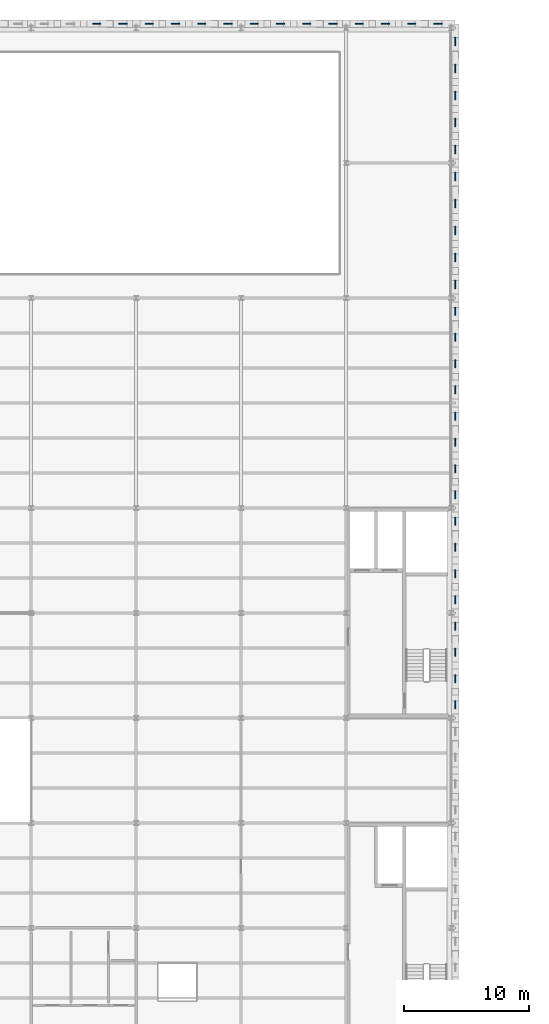
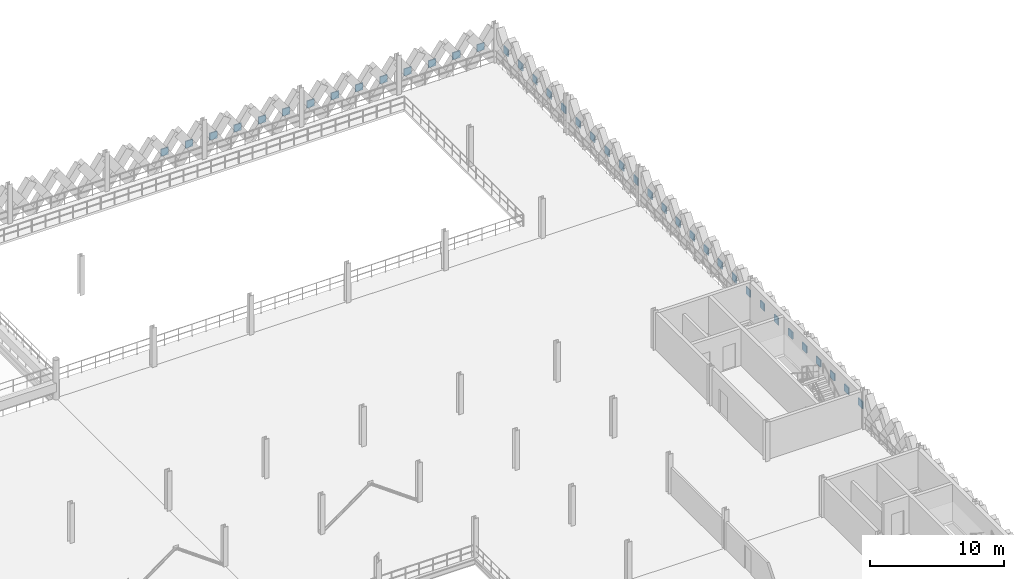
# One storey, part 60 of 79: 40 plates.
"""IFC4 building model written with IfcOpenShell, lengths in metres."""

from ifc_helpers import new_model, si_unit, direction, frame, origin, origin_2d, place, context, subcontext, project, spatial, rectangle, extrude, material, layer, layer_set, type_object, element, save


model = new_model("IFC4")

# Units and contexts
model_context = context("Model", 3, precision=1e-05, world=origin(), true_north=direction((0.0, 1.0)))
body_context = subcontext(model_context, "Body", "Model", "MODEL_VIEW")
ifc_project = project(units=[si_unit("LENGTHUNIT", "METRE"), si_unit("AREAUNIT", "SQUARE_METRE"), si_unit("VOLUMEUNIT", "CUBIC_METRE"), si_unit("PLANEANGLEUNIT", "RADIAN"), si_unit("MASSUNIT", "GRAM", prefix="KILO"), si_unit("THERMODYNAMICTEMPERATUREUNIT", "KELVIN"), si_unit("POWERUNIT", "WATT")], contexts=[model_context])

# Site, building, storey
site_placement = place(None, origin())
site = spatial("IfcSite", under=ifc_project, at=site_placement, CompositionType="ELEMENT")
building_placement = place(site_placement, origin())
building = spatial("IfcBuilding", under=site, at=building_placement, Name="Tembeka Court Mobility Hub", CompositionType="ELEMENT")
storey_placement = place(building_placement, frame((0.0, 0.0, 9.0)))
storey = spatial("IfcBuildingStorey", under=building, at=storey_placement, Name="L02", CompositionType="ELEMENT", Elevation=9.0)

# Plates
ifc_material = material(Name="Precast concrete C45/55", Category="concrete")
ifc_layer = layer(ifc_material, 0.090087890625)
ifc_layer_set = layer_set([ifc_layer], Name="Precast concrete C45/55")
plate_type = type_object("IfcPlateType", Name="PL-PC01", PredefinedType="SHEET", material=ifc_layer_set)
for number, where, z_axis, x_axis, name in (
    (1, (64.050048828125, 119.139892578125, 1.16015625), (0.0, 0.0, 1.0), (1.0, 0.0, 0.0), "Precast diamond lattice node plate PCN01 (L02-263)"),
    (2, (66.14990234375, 119.139892578125, 1.16015625), (0.0, 0.0, 1.0), (1.0, 0.0, 0.0), "Precast diamond lattice node plate PCN01 (L02-264)"),
    (3, (68.25, 119.139892578125, 1.16015625), (0.0, 0.0, 1.0), (1.0, 0.0, 0.0), "Precast diamond lattice node plate PCN01 (L02-265)"),
    (4, (70.35009765625, 119.139892578125, 1.16015625), (0.0, 0.0, 1.0), (1.0, 0.0, 0.0), "Precast diamond lattice node plate PCN01 (L02-266)"),
    (5, (72.449951171875, 119.139892578125, 1.16015625), (0.0, 0.0, 1.0), (1.0, 0.0, 0.0), "Precast diamond lattice node plate PCN01 (L02-267)"),
    (6, (74.550048828125, 119.139892578125, 1.16015625), (0.0, 0.0, 1.0), (1.0, 0.0, 0.0), "Precast diamond lattice node plate PCN01 (L02-268)"),
    (7, (76.64990234375, 119.139892578125, 1.16015625), (0.0, 0.0, 1.0), (1.0, 0.0, 0.0), "Precast diamond lattice node plate PCN01 (L02-269)"),
    (8, (78.75, 119.139892578125, 1.16015625), (0.0, 0.0, 1.0), (1.0, 0.0, 0.0), "Precast diamond lattice node plate PCN01 (L02-270)"),
    (9, (80.85009765625, 119.139892578125, 1.16015625), (0.0, 0.0, 1.0), (1.0, 0.0, 0.0), "Precast diamond lattice node plate PCN01 (L02-271)"),
    (10, (82.949951171875, 119.139892578125, 1.16015625), (0.0, 0.0, 1.0), (1.0, 0.0, 0.0), "Precast diamond lattice node plate PCN01 (L02-272)"),
    (11, (85.050048828125, 119.139892578125, 1.16015625), (0.0, 0.0, 1.0), (1.0, 0.0, 0.0), "Precast diamond lattice node plate PCN01 (L02-273)"),
    (12, (87.14990234375, 119.139892578125, 1.16015625), (0.0, 0.0, 1.0), (1.0, 0.0, 0.0), "Precast diamond lattice node plate PCN01 (L02-274)"),
    (13, (89.25, 119.139892578125, 1.16015625), (0.0, 0.0, 1.0), (1.0, 0.0, 0.0), "Precast diamond lattice node plate PCN01 (L02-275)"),
    (14, (91.35009765625, 119.139892578125, 1.16015625), (0.0, 0.0, 1.0), (1.0, 0.0, 0.0), "Precast diamond lattice node plate PCN01 (L02-276)"),
):
    element("IfcPlate", number, at=place(storey_placement, frame(where, z_axis=z_axis, x_axis=x_axis)), inside=storey, type_object=plate_type, Name=name, PredefinedType="SHEET", context=body_context, shape_type="SweptSolid", body=[
        extrude(rectangle(XDim=0.64990234375, YDim=0.090087890625, at=origin_2d()), origin(), (0.0, 0.0, 1.0), 0.64990234375),
    ])
for number, where, z_axis, x_axis, name in (
    (15, (92.739990234375, 64.64990234375, 1.16015625), (0.0, 0.0, 1.0), (1.0, 0.0, 0.0), "Precast diamond lattice node plate PCN01 (L02-363)"),
    (16, (92.739990234375, 66.75, 1.16015625), (0.0, 0.0, 1.0), (1.0, 0.0, 0.0), "Precast diamond lattice node plate PCN01 (L02-364)"),
    (17, (92.739990234375, 68.85009765625, 1.16015625), (0.0, 0.0, 1.0), (1.0, 0.0, 0.0), "Precast diamond lattice node plate PCN01 (L02-365)"),
    (18, (92.739990234375, 70.949951171875, 1.16015625), (0.0, 0.0, 1.0), (1.0, 0.0, 0.0), "Precast diamond lattice node plate PCN01 (L02-366)"),
    (19, (92.739990234375, 73.050048828125, 1.16015625), (0.0, 0.0, 1.0), (1.0, 0.0, 0.0), "Precast diamond lattice node plate PCN01 (L02-367)"),
    (20, (92.739990234375, 75.14990234375, 1.16015625), (0.0, 0.0, 1.0), (1.0, 0.0, 0.0), "Precast diamond lattice node plate PCN01 (L02-368)"),
    (21, (92.739990234375, 77.25, 1.16015625), (0.0, 0.0, 1.0), (1.0, 0.0, 0.0), "Precast diamond lattice node plate PCN01 (L02-369)"),
    (22, (92.739990234375, 79.35009765625, 1.16015625), (0.0, 0.0, 1.0), (1.0, 0.0, 0.0), "Precast diamond lattice node plate PCN01 (L02-370)"),
    (23, (92.739990234375, 81.449951171875, 1.16015625), (0.0, 0.0, 1.0), (1.0, 0.0, 0.0), "Precast diamond lattice node plate PCN01 (L02-371)"),
    (24, (92.739990234375, 83.550048828125, 1.16015625), (0.0, 0.0, 1.0), (1.0, 0.0, 0.0), "Precast diamond lattice node plate PCN01 (L02-372)"),
    (25, (92.739990234375, 85.64990234375, 1.16015625), (0.0, 0.0, 1.0), (1.0, 0.0, 0.0), "Precast diamond lattice node plate PCN01 (L02-373)"),
    (26, (92.739990234375, 87.75, 1.16015625), (0.0, 0.0, 1.0), (1.0, 0.0, 0.0), "Precast diamond lattice node plate PCN01 (L02-374)"),
    (27, (92.739990234375, 89.85009765625, 1.16015625), (0.0, 0.0, 1.0), (1.0, 0.0, 0.0), "Precast diamond lattice node plate PCN01 (L02-375)"),
    (28, (92.739990234375, 91.949951171875, 1.16015625), (0.0, 0.0, 1.0), (1.0, 0.0, 0.0), "Precast diamond lattice node plate PCN01 (L02-376)"),
    (29, (92.739990234375, 94.050048828125, 1.16015625), (0.0, 0.0, 1.0), (1.0, 0.0, 0.0), "Precast diamond lattice node plate PCN01 (L02-377)"),
    (30, (92.739990234375, 96.14990234375, 1.16015625), (0.0, 0.0, 1.0), (1.0, 0.0, 0.0), "Precast diamond lattice node plate PCN01 (L02-378)"),
    (31, (92.739990234375, 98.280029296875, 1.16015625), (0.0, 0.0, 1.0), (1.0, 0.0, 0.0), "Precast diamond lattice node plate PCN01 (L02-379)"),
    (32, (92.739990234375, 100.43994140625, 1.16015625), (0.0, 0.0, 1.0), (1.0, 0.0, 0.0), "Precast diamond lattice node plate PCN01 (L02-380)"),
    (33, (92.739990234375, 102.60009765625, 1.16015625), (0.0, 0.0, 1.0), (1.0, 0.0, 0.0), "Precast diamond lattice node plate PCN01 (L02-381)"),
    (34, (92.739990234375, 104.760009765625, 1.16015625), (0.0, 0.0, 1.0), (1.0, 0.0, 0.0), "Precast diamond lattice node plate PCN01 (L02-382)"),
    (35, (92.739990234375, 106.919921875, 1.16015625), (0.0, 0.0, 1.0), (1.0, 0.0, 0.0), "Precast diamond lattice node plate PCN01 (L02-383)"),
    (36, (92.739990234375, 109.080078125, 1.16015625), (0.0, 0.0, 1.0), (1.0, 0.0, 0.0), "Precast diamond lattice node plate PCN01 (L02-384)"),
    (37, (92.739990234375, 111.239990234375, 1.16015625), (0.0, 0.0, 1.0), (1.0, 0.0, 0.0), "Precast diamond lattice node plate PCN01 (L02-385)"),
    (38, (92.739990234375, 113.39990234375, 1.16015625), (0.0, 0.0, 1.0), (1.0, 0.0, 0.0), "Precast diamond lattice node plate PCN01 (L02-386)"),
    (39, (92.739990234375, 115.56005859375, 1.16015625), (0.0, 0.0, 1.0), (1.0, 0.0, 0.0), "Precast diamond lattice node plate PCN01 (L02-387)"),
    (40, (92.739990234375, 117.719970703125, 1.16015625), (0.0, 0.0, 1.0), (1.0, 0.0, 0.0), "Precast diamond lattice node plate PCN01 (L02-388)"),
):
    element("IfcPlate", number, at=place(storey_placement, frame(where, z_axis=z_axis, x_axis=x_axis)), inside=storey, type_object=plate_type, Name=name, PredefinedType="SHEET", context=body_context, shape_type="SweptSolid", body=[
        extrude(rectangle(XDim=0.090087890625, YDim=0.64990234375, at=origin_2d()), origin(), (0.0, 0.0, 1.0), 0.64990234375),
    ])

save(model, "model.ifc")
